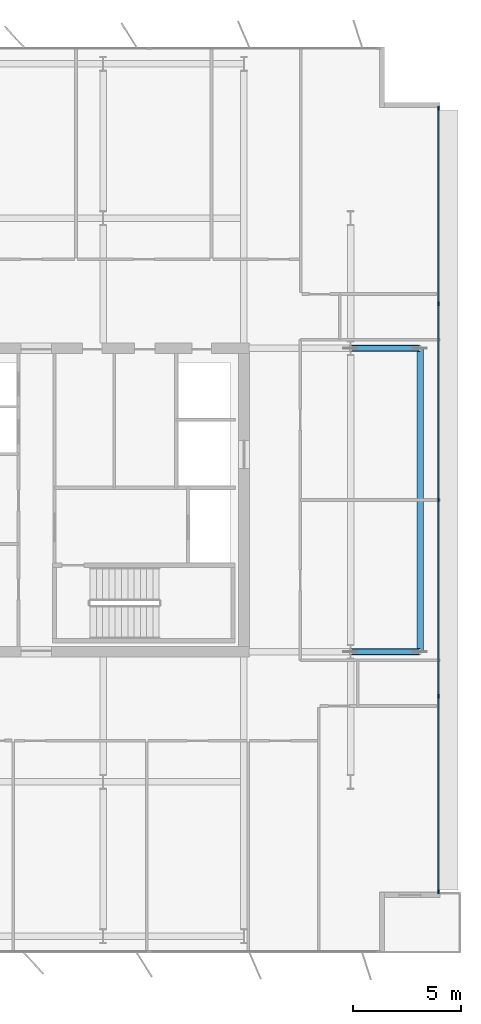
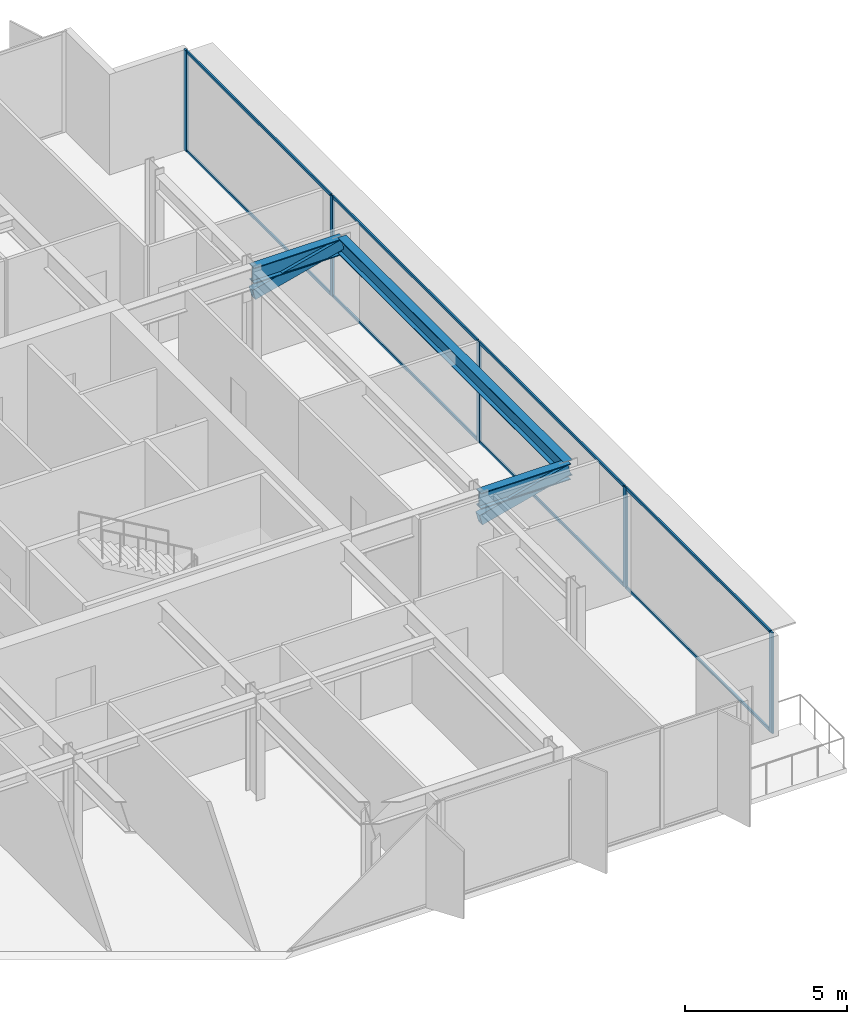
# One storey, part 10 of 20: 15 members, 3 beams, 1 element without a shape of its own.
"""IFC4 building model written with IfcOpenShell, lengths in metres."""

from ifc_helpers import new_model, si_unit, direction, frame, origin, origin_2d, place, context, subcontext, project, spatial, rectangle, hollow_rectangle, i_section, extrude, material, layer, layer_set, material_profile, profile_set, type_object, element, aggregate, save


model = new_model("IFC4")

# Units and contexts
model_context = context("Model", 3, precision=1e-05, world=origin(), true_north=direction((0.0, 1.0)))
body_context = subcontext(model_context, "Body", "Model", "MODEL_VIEW")
ifc_project = project(units=[si_unit("LENGTHUNIT", "METRE"), si_unit("AREAUNIT", "SQUARE_METRE"), si_unit("VOLUMEUNIT", "CUBIC_METRE"), si_unit("PLANEANGLEUNIT", "RADIAN"), si_unit("MASSUNIT", "GRAM", prefix="KILO")], contexts=[model_context])

# Site, building, storey
site_placement = place(None, origin())
site = spatial("IfcSite", under=ifc_project, at=site_placement, CompositionType="ELEMENT")
building_placement = place(site_placement, origin())
building = spatial("IfcBuilding", under=site, at=building_placement, Name="Putna Gate Headquarters", CompositionType="ELEMENT")
storey_placement = place(building_placement, frame((0.0, 0.0, 302.39990234375)))
storey = spatial("IfcBuildingStorey", under=building, at=storey_placement, Name="L76", CompositionType="ELEMENT", Elevation=302.39990234375)

# Beams
ifc_material_1 = material(Name="Steel S355J2", Category="steel")
ifc_material_profile_1 = material_profile(ifc_material_1, i_section(OverallWidth=0.300048828125, OverallDepth=0.60009765625, WebThickness=0.015380859375, FlangeThickness=0.030029296875, at=origin_2d()), Name="Steel S355J2")
ifc_profile_set_1 = profile_set([ifc_material_profile_1], Name="Steel S355J2")
beam_type_1 = type_object("IfcBeamType", Name="BM-GIRD-SAIL-HEB600", PredefinedType="USERDEFINED", material=ifc_profile_set_1)
for number, where, z_axis, x_axis, name in (
    (1, (69.926025390625, 19.0, 3.488037109375), (1.0, 0.0, 0.0), (0.0, 1.0, 0.0), "L76 East Sail Outrigger Bracket Y19"),
    (2, (69.926025390625, 33.0, 3.488037109375), (1.0, 0.0, 0.0), (0.0, 1.0, 0.0), "L76 East Sail Outrigger Bracket Y33"),
):
    element("IfcBeam", number, at=place(storey_placement, frame(where, z_axis=z_axis, x_axis=x_axis)), inside=storey, type_object=beam_type_1, Name=name, ObjectType="GIRDER", PredefinedType="USERDEFINED", context=body_context, shape_type="SweptSolid", body=[
        extrude(i_section(OverallWidth=0.300048828125, OverallDepth=0.60009765625, WebThickness=0.015380859375, FlangeThickness=0.030029296875, at=origin_2d()), origin(), (0.0, 0.0, 1.0), 3.194091796875),
    ])
ifc_material_profile_2 = material_profile(ifc_material_1, i_section(OverallWidth=0.300048828125, OverallDepth=0.590087890625, WebThickness=0.012939453125, FlangeThickness=0.02490234375, at=origin_2d()), Name="Steel S355J2")
ifc_profile_set_2 = profile_set([ifc_material_profile_2], Name="Steel S355J2")
beam_type_2 = type_object("IfcBeamType", Name="BM-SPAN-Z4-HEA600", PredefinedType="SPANDREL", material=ifc_profile_set_2)
beam_placement = place(storey_placement, frame((73.1201171875, 19.02001953125, 3.4931640625), z_axis=(0.0, 1.0, 0.0), x_axis=(-1.0, 0.0, 0.0)))
element("IfcBeam", 3, at=beam_placement, inside=storey, type_object=beam_type_2, Name="L76 East Sail Edge Spandrel", PredefinedType="SPANDREL", context=body_context, shape_type="SweptSolid", body=[
    extrude(i_section(OverallWidth=0.300048828125, OverallDepth=0.590087890625, WebThickness=0.012939453125, FlangeThickness=0.02490234375, at=origin_2d()), origin(), (0.0, 0.0, 1.0), 13.9599609375),
])

# Members
ifc_material_2 = material(Name="Steel S460M", Category="steel")
ifc_material_profile_3 = material_profile(ifc_material_2, hollow_rectangle(XDim=0.25, YDim=0.39990234375, WallThickness=0.01611328125, at=origin_2d()), Name="Steel S460M")
ifc_profile_set_3 = profile_set([ifc_material_profile_3], Name="Steel S460M")
member_type_1 = type_object("IfcMemberType", Name="MEM-SAIL-BRACE-RHS400", PredefinedType="BRACE", material=ifc_profile_set_3)
for number, where, z_axis, x_axis, name in (
    (4, (69.934326171875, 19.0, 2.755126953125), (0.96875163726, 0.0, 0.24803279079), (0.0, 1.0, 0.0), "L76 East Sail Cantilever Raker Y19"),
    (5, (69.934326171875, 33.0, 2.755126953125), (0.96875163726, 0.0, 0.24803279079), (0.0, 1.0, 0.0), "L76 East Sail Cantilever Raker Y33"),
):
    element("IfcMember", number, at=place(storey_placement, frame(where, z_axis=z_axis, x_axis=x_axis)), inside=storey, type_object=member_type_1, Name=name, PredefinedType="BRACE", context=body_context, shape_type="SweptSolid", body=[
        extrude(hollow_rectangle(XDim=0.25, YDim=0.39990234375, WallThickness=0.01611328125, at=origin_2d()), origin(), (0.0, 0.0, 1.0), 3.258056640625),
    ])

# Curtain wall, members
ifc_material_3 = material(Name="Anodised bronze aluminium curtain wall", Category="aluminium")
ifc_layer = layer(ifc_material_3, 0.179931640625)
ifc_layer_set = layer_set([ifc_layer], Name="Anodised bronze aluminium curtain wall")
curtain_wall_type = type_object("IfcCurtainWallType", Name="CW-SYS-Z5", PredefinedType="USERDEFINED", material=ifc_layer_set)
curtain_wall_placement = place(storey_placement, origin())
curtain_wall = element("IfcCurtainWall", 6, at=curtain_wall_placement, inside=storey, type_object=curtain_wall_type, Name="L76 East Curtain Wall", ObjectType="STICK CURTAIN WALL", PredefinedType="USERDEFINED")
ifc_material_4 = material(Name="Anodised bronze aluminium EN AW-6060", Category="aluminium")
ifc_material_profile_4 = material_profile(ifc_material_4, rectangle(XDim=0.070068359375, YDim=0.179931640625, at=origin_2d()), Name="Anodised bronze aluminium EN AW-6060")
ifc_profile_set_4 = profile_set([ifc_material_profile_4], Name="Anodised bronze aluminium EN AW-6060")
member_type_2 = type_object("IfcMemberType", Name="MULL-CWM-5", PredefinedType="MULLION", material=ifc_profile_set_4)
member_1_placement = place(storey_placement, frame((73.97216796875, 7.93505859375, 0.0), z_axis=(0.0, 0.0, 1.0), x_axis=(-1.0, 0.0, 0.0)))
member_1 = element("IfcMember", 7, at=member_1_placement, type_object=member_type_2, Name="CWS-5 mullion 1", PredefinedType="MULLION", context=body_context, shape_type="SweptSolid", body=[
    extrude(rectangle(XDim=0.070068359375, YDim=0.179931640625, at=origin_2d()), origin(), (0.0, 0.0, 1.0), 3.7880859375),
])
member_2_placement = place(storey_placement, frame((73.97216796875, 16.949951171875, 0.0), z_axis=(0.0, 0.0, 1.0), x_axis=(-1.0, 0.0, 0.0)))
member_2 = element("IfcMember", 8, at=member_2_placement, type_object=member_type_2, Name="CWS-5 mullion 2", PredefinedType="MULLION", context=body_context, shape_type="SweptSolid", body=[
    extrude(rectangle(XDim=0.070068359375, YDim=0.179931640625, at=origin_2d()), origin(), (0.0, 0.0, 1.0), 3.7880859375),
])
member_3_placement = place(storey_placement, frame((73.97216796875, 26.0, 0.0), z_axis=(0.0, 0.0, 1.0), x_axis=(-1.0, 0.0, 0.0)))
member_3 = element("IfcMember", 9, at=member_3_placement, type_object=member_type_2, Name="CWS-5 mullion 3", PredefinedType="MULLION", context=body_context, shape_type="SweptSolid", body=[
    extrude(rectangle(XDim=0.070068359375, YDim=0.179931640625, at=origin_2d()), origin(), (0.0, 0.0, 1.0), 3.7880859375),
])
member_4_placement = place(storey_placement, frame((73.97216796875, 35.050048828125, 0.0), z_axis=(0.0, 0.0, 1.0), x_axis=(-1.0, 0.0, 0.0)))
member_4 = element("IfcMember", 10, at=member_4_placement, type_object=member_type_2, Name="CWS-5 mullion 4", PredefinedType="MULLION", context=body_context, shape_type="SweptSolid", body=[
    extrude(rectangle(XDim=0.070068359375, YDim=0.179931640625, at=origin_2d()), origin(), (0.0, 0.0, 1.0), 3.7880859375),
])
member_5_placement = place(storey_placement, frame((73.97216796875, 44.06494140625, 0.0), z_axis=(0.0, 0.0, 1.0), x_axis=(-1.0, 0.0, 0.0)))
member_5 = element("IfcMember", 11, at=member_5_placement, type_object=member_type_2, Name="CWS-5 mullion 5", PredefinedType="MULLION", context=body_context, shape_type="SweptSolid", body=[
    extrude(rectangle(XDim=0.070068359375, YDim=0.179931640625, at=origin_2d()), origin(), (0.0, 0.0, 1.0), 3.7880859375),
])
ifc_material_profile_5 = material_profile(ifc_material_4, rectangle(XDim=0.06005859375, YDim=0.10009765625, at=origin_2d()), Name="Anodised bronze aluminium EN AW-6060")
ifc_profile_set_5 = profile_set([ifc_material_profile_5], Name="Anodised bronze aluminium EN AW-6060")
member_type_3 = type_object("IfcMemberType", Name="TRAN-CWT-5", PredefinedType="USERDEFINED", material=ifc_profile_set_5)
member_6_placement = place(storey_placement, frame((73.97216796875, 7.969970703125, 0.030029296875), z_axis=(0.0, 1.0, 0.0), x_axis=(-1.0, 0.0, 0.0)))
member_6 = element("IfcMember", 12, at=member_6_placement, type_object=member_type_3, Name="CWS-5 transom 1.1", ObjectType="TRANSOM", PredefinedType="USERDEFINED", context=body_context, shape_type="SweptSolid", body=[
    extrude(rectangle(XDim=0.06005859375, YDim=0.10009765625, at=origin_2d()), origin(), (0.0, 0.0, 1.0), 8.945068359375),
])
member_7_placement = place(storey_placement, frame((73.97216796875, 7.969970703125, 3.758056640625), z_axis=(0.0, 1.0, 0.0), x_axis=(-1.0, 0.0, 0.0)))
member_7 = element("IfcMember", 13, at=member_7_placement, type_object=member_type_3, Name="CWS-5 transom 1.2", ObjectType="TRANSOM", PredefinedType="USERDEFINED", context=body_context, shape_type="SweptSolid", body=[
    extrude(rectangle(XDim=0.06005859375, YDim=0.10009765625, at=origin_2d()), origin(), (0.0, 0.0, 1.0), 8.945068359375),
])
member_8_placement = place(storey_placement, frame((73.97216796875, 16.985107421875, 0.030029296875), z_axis=(0.0, 1.0, 0.0), x_axis=(-1.0, 0.0, 0.0)))
member_8 = element("IfcMember", 14, at=member_8_placement, type_object=member_type_3, Name="CWS-5 transom 2.1", ObjectType="TRANSOM", PredefinedType="USERDEFINED", context=body_context, shape_type="SweptSolid", body=[
    extrude(rectangle(XDim=0.06005859375, YDim=0.10009765625, at=origin_2d()), origin(), (0.0, 0.0, 1.0), 8.97998046875),
])
member_9_placement = place(storey_placement, frame((73.97216796875, 16.985107421875, 3.758056640625), z_axis=(0.0, 1.0, 0.0), x_axis=(-1.0, 0.0, 0.0)))
member_9 = element("IfcMember", 15, at=member_9_placement, type_object=member_type_3, Name="CWS-5 transom 2.2", ObjectType="TRANSOM", PredefinedType="USERDEFINED", context=body_context, shape_type="SweptSolid", body=[
    extrude(rectangle(XDim=0.06005859375, YDim=0.10009765625, at=origin_2d()), origin(), (0.0, 0.0, 1.0), 8.97998046875),
])
member_10_placement = place(storey_placement, frame((73.97216796875, 26.034912109375, 0.030029296875), z_axis=(0.0, 1.0, 0.0), x_axis=(-1.0, 0.0, 0.0)))
member_10 = element("IfcMember", 16, at=member_10_placement, type_object=member_type_3, Name="CWS-5 transom 3.1", ObjectType="TRANSOM", PredefinedType="USERDEFINED", context=body_context, shape_type="SweptSolid", body=[
    extrude(rectangle(XDim=0.06005859375, YDim=0.10009765625, at=origin_2d()), origin(), (0.0, 0.0, 1.0), 8.97998046875),
])
member_11_placement = place(storey_placement, frame((73.97216796875, 26.034912109375, 3.758056640625), z_axis=(0.0, 1.0, 0.0), x_axis=(-1.0, 0.0, 0.0)))
member_11 = element("IfcMember", 17, at=member_11_placement, type_object=member_type_3, Name="CWS-5 transom 3.2", ObjectType="TRANSOM", PredefinedType="USERDEFINED", context=body_context, shape_type="SweptSolid", body=[
    extrude(rectangle(XDim=0.06005859375, YDim=0.10009765625, at=origin_2d()), origin(), (0.0, 0.0, 1.0), 8.97998046875),
])
member_12_placement = place(storey_placement, frame((73.97216796875, 35.0849609375, 0.030029296875), z_axis=(0.0, 1.0, 0.0), x_axis=(-1.0, 0.0, 0.0)))
member_12 = element("IfcMember", 18, at=member_12_placement, type_object=member_type_3, Name="CWS-5 transom 4.1", ObjectType="TRANSOM", PredefinedType="USERDEFINED", context=body_context, shape_type="SweptSolid", body=[
    extrude(rectangle(XDim=0.06005859375, YDim=0.10009765625, at=origin_2d()), origin(), (0.0, 0.0, 1.0), 8.945068359375),
])
member_13_placement = place(storey_placement, frame((73.97216796875, 35.0849609375, 3.758056640625), z_axis=(0.0, 1.0, 0.0), x_axis=(-1.0, 0.0, 0.0)))
member_13 = element("IfcMember", 19, at=member_13_placement, type_object=member_type_3, Name="CWS-5 transom 4.2", ObjectType="TRANSOM", PredefinedType="USERDEFINED", context=body_context, shape_type="SweptSolid", body=[
    extrude(rectangle(XDim=0.06005859375, YDim=0.10009765625, at=origin_2d()), origin(), (0.0, 0.0, 1.0), 8.945068359375),
])
aggregate(curtain_wall, [member_1, member_2, member_3, member_4, member_5, member_6, member_7, member_8, member_9, member_10, member_11, member_12, member_13])

save(model, "model.ifc")
